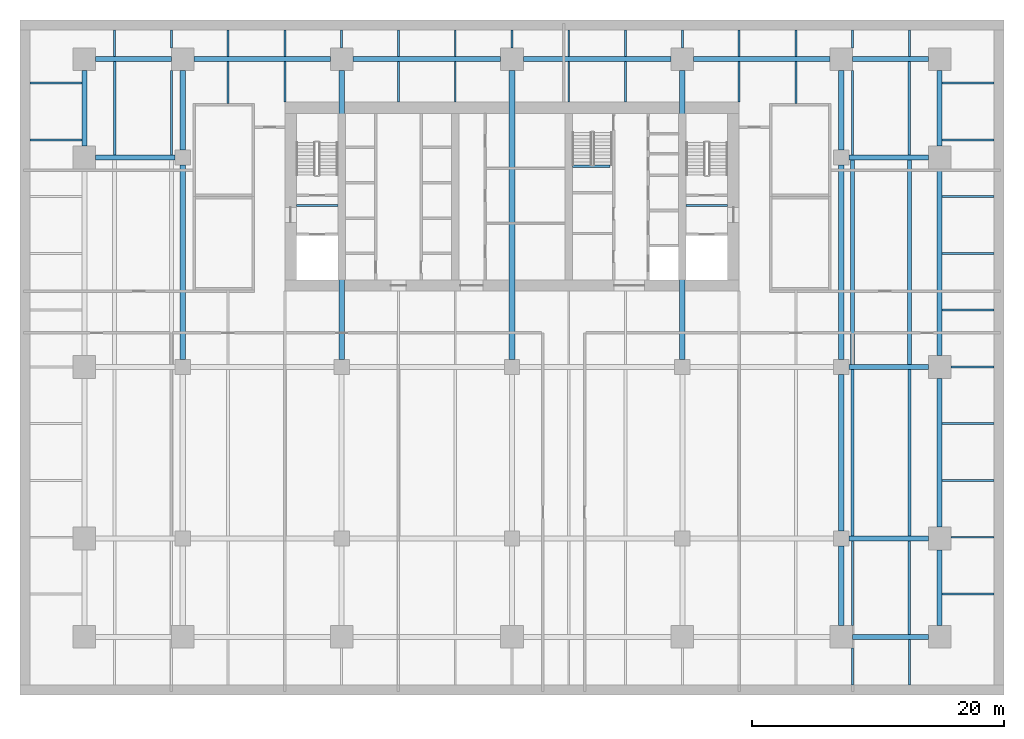
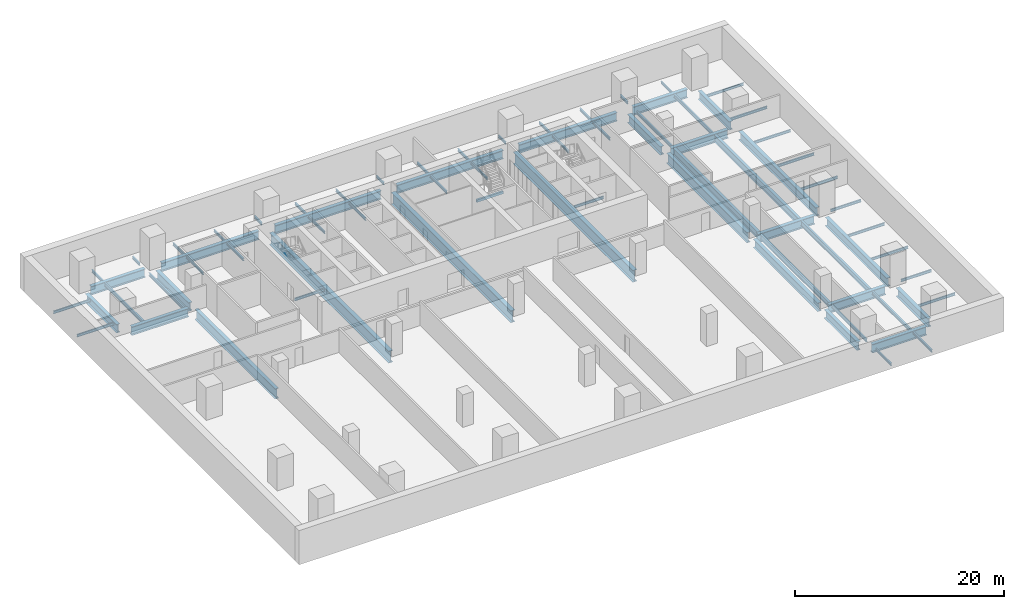
# One storey, part 2 of 10: 75 beams.
"""IFC4 building model written with IfcOpenShell, lengths in metres."""

import ifcopenshell
import ifcopenshell.guid

model = None  # the IFC model being written
_history = None  # IfcOwnerHistory: only IFC2X3 demands one
_inside = {}  # id of a spatial element -> (the spatial element, [elements in it])
_under = {}  # id of a project, library or spatial element -> (it, [spatial elements below it])
_declared = {}  # id of a project -> (the project, [libraries it declares])
_typed = {}  # id of a type object -> (the type object, [elements of that type])
_made_of = {}  # id of a material, layer set ... -> (it, [elements and type objects made of it])


def new_model(schema):
    """Start an empty IFC model of exactly this schema.

    Asked for "IFC4X3", IfcOpenShell would pick the latest addendum, in which some entities
    have other attributes; the version numbers below select the first issue.
    IFC2X3 requires an IfcOwnerHistory on every rooted entity: one is made here for all.
    """
    global model, _history
    if schema == "IFC4X3":
        model = ifcopenshell.file(schema_version=(4, 3, 0, 0))
    else:
        model = ifcopenshell.file(schema=schema)
    _inside.clear()
    _under.clear()
    _declared.clear()
    _typed.clear()
    _made_of.clear()
    _history = None
    if model.schema == "IFC2X3":
        org = make("IfcOrganization", Name="unknown")
        user = make(
            "IfcPersonAndOrganization",
            ThePerson=make("IfcPerson", FamilyName="unknown"),
            TheOrganization=org,
        )
        app = make(
            "IfcApplication",
            ApplicationDeveloper=org,
            Version="unknown",
            ApplicationFullName="unknown",
            ApplicationIdentifier="unknown",
        )
        _history = make(
            "IfcOwnerHistory",
            OwningUser=user,
            OwningApplication=app,
            ChangeAction="ADDED",
            CreationDate=0,
        )
    return model


def make(cls, **values):
    """One entity of the class cls with the attributes given. An attribute that is None is left unset."""
    return model.create_entity(
        cls, **{name: value for name, value in values.items() if value is not None}
    )


def rooted(cls, **values):
    """An entity with a GlobalId (a new one), such as an element, a storey or a relation."""
    return make(cls, GlobalId=ifcopenshell.guid.new(), OwnerHistory=_history, **values)


def si_unit(unit_type, name, prefix=None):
    """IfcSIUnit, for example si_unit("LENGTHUNIT", "METRE", prefix="MILLI")."""
    return make("IfcSIUnit", UnitType=unit_type, Prefix=prefix, Name=name)


def assignment(units):
    """IfcUnitAssignment: the units of a project."""
    return None if units is None else make("IfcUnitAssignment", Units=units)


def point(xyz):
    """IfcCartesianPoint."""
    return None if xyz is None else make("IfcCartesianPoint", Coordinates=xyz)


def direction(xyz):
    """IfcDirection."""
    return None if xyz is None else make("IfcDirection", DirectionRatios=xyz)


def frame(location, z_axis=None, x_axis=None):
    """IfcAxis2Placement3D, a coordinate frame: its origin and axes. An axis left out is left unset."""
    return make(
        "IfcAxis2Placement3D",
        Location=point(location),
        Axis=direction(z_axis),
        RefDirection=direction(x_axis),
    )


def frame_2d(location, x_axis=None):
    """IfcAxis2Placement2D, a coordinate frame in the plane: its origin and x axis."""
    return make(
        "IfcAxis2Placement2D", Location=point(location), RefDirection=direction(x_axis)
    )


def origin():
    """The frame at (0, 0, 0) with its axes left unset."""
    return frame((0.0, 0.0, 0.0))


def origin_2d():
    """The frame at (0, 0) in the plane with its x axis left unset."""
    return frame_2d((0.0, 0.0))


def place(relative_to, where):
    """IfcLocalPlacement: puts the frame where relative to a parent placement (None: the world)."""
    return make(
        "IfcLocalPlacement", PlacementRelTo=relative_to, RelativePlacement=where
    )


def context(
    kind, dimensions, precision=None, world=None, true_north=None, identifier=None
):
    """IfcGeometricRepresentationContext, for example the 3D "Model" context."""
    return make(
        "IfcGeometricRepresentationContext",
        ContextIdentifier=identifier,
        ContextType=kind,
        CoordinateSpaceDimension=dimensions,
        Precision=precision,
        WorldCoordinateSystem=world,
        TrueNorth=true_north,
    )


def subcontext(parent, identifier, kind, view, scale=None):
    """IfcGeometricRepresentationSubContext, for example "Body" below "Model"."""
    return make(
        "IfcGeometricRepresentationSubContext",
        ContextIdentifier=identifier,
        ContextType=kind,
        ParentContext=parent,
        TargetScale=scale,
        TargetView=view,
    )


def project(units=None, contexts=None):
    """IfcProject with its units and contexts."""
    return rooted(
        "IfcProject",
        Name="project",
        RepresentationContexts=contexts,
        UnitsInContext=assignment(units),
    )


def spatial(cls, under=None, at=None, **own):
    """A site, building, storey or space (cls), placed at a placement, below another one or the project."""
    s = rooted(cls, ObjectPlacement=at, **own)
    if under is not None:
        _under.setdefault(under.id(), (under, []))[1].append(s)
    return s


def profile(cls, at=None, kind="AREA", **sizes):
    """A parametric profile (cls). Its sizes go by their IFC names, for example OverallWidth=200.0."""
    return make(cls, ProfileType=kind, Position=at, **sizes)


def rectangle(**sizes):
    """IfcRectangleProfileDef."""
    return profile("IfcRectangleProfileDef", **sizes)


def i_section(**sizes):
    """IfcIShapeProfileDef."""
    return profile("IfcIShapeProfileDef", **sizes)


def extrude(swept, where, along, depth):
    """IfcExtrudedAreaSolid: the profile swept, set in the frame where, extruded along a direction by depth."""
    return make(
        "IfcExtrudedAreaSolid",
        SweptArea=swept,
        Position=where,
        ExtrudedDirection=direction(along),
        Depth=depth,
    )


def shape(context_of_items, identifier, shape_type, items):
    """IfcShapeRepresentation: the items that make up one representation, for example the "Body"."""
    return make(
        "IfcShapeRepresentation",
        ContextOfItems=context_of_items,
        RepresentationIdentifier=identifier,
        RepresentationType=shape_type,
        Items=items,
    )


def material(Name=None, Category=None):
    """IfcMaterial."""
    return make("IfcMaterial", Name=Name, Category=Category)


def material_profile(
    of_material, cross_section, Name=None, Category=None, Priority=None
):
    """IfcMaterialProfile: a cross section and its material."""
    return make(
        "IfcMaterialProfile",
        Name=Name,
        Material=of_material,
        Profile=cross_section,
        Priority=Priority,
        Category=Category,
    )


def profile_set(profiles, Name=None, composite=None):
    """IfcMaterialProfileSet."""
    return make(
        "IfcMaterialProfileSet",
        Name=Name,
        MaterialProfiles=profiles,
        CompositeProfile=composite,
    )


def made_of(thing, what):
    """Note that an element or type object is made of a material, layer set ...; save() writes the relation."""
    if what is not None:
        _made_of.setdefault(what.id(), (what, []))[1].append(thing)
    return thing


def type_object(cls, material=None, **own):
    """A type object (cls), such as IfcWallType, which elements share."""
    return made_of(rooted(cls, **own), material)


def element(
    cls,
    number,
    at=None,
    inside=None,
    cuts=None,
    type_object=None,
    material=None,
    context=None,
    identifier="Body",
    shape_type=None,
    held_by="IfcProductDefinitionShape",
    body=None,
    shapes=None,
    **own,
):
    """One element of the class cls, such as IfcWall. Its Tag is "e" and its number.

    at: its placement. inside: the storey or other place that contains it. cuts: it is an
    opening in that element (IfcRelVoidsElement). A single representation is given by context,
    identifier, shape_type and body (its items); several are given by shapes. held_by: the class
    of the entity that holds the representations. save() writes the other relations.
    """
    e = rooted(cls, Tag="e%d" % number, ObjectPlacement=at, **own)
    if body is not None:
        shapes = [shape(context, identifier, shape_type, body)]
    if shapes is not None:
        e.Representation = make(held_by, Representations=shapes)
    if inside is not None:
        _inside.setdefault(inside.id(), (inside, []))[1].append(e)
    if cuts is not None:
        rooted(
            "IfcRelVoidsElement", RelatingBuildingElement=cuts, RelatedOpeningElement=e
        )
    if type_object is not None:
        _typed.setdefault(type_object.id(), (type_object, []))[1].append(e)
    return made_of(e, material)


def aggregate(whole, parts):
    """IfcRelAggregates: a whole, such as a stair, and the parts it consists of."""
    return rooted("IfcRelAggregates", RelatingObject=whole, RelatedObjects=parts)


def save(model, path):
    """Write the relations noted so far, then the file.

    IfcRelAggregates (storeys below a building ...), IfcRelContainedInSpatialStructure (elements
    in a storey), IfcRelDefinesByType, IfcRelAssociatesMaterial and IfcRelDeclares: one each for
    every whole, place, type object, material and project.
    """
    for whole, parts in _under.values():
        aggregate(whole, parts)
    for where, things in _inside.values():
        rooted(
            "IfcRelContainedInSpatialStructure",
            RelatedElements=things,
            RelatingStructure=where,
        )
    for kind, things in _typed.values():
        rooted("IfcRelDefinesByType", RelatedObjects=things, RelatingType=kind)
    for what, things in _made_of.values():
        rooted("IfcRelAssociatesMaterial", RelatedObjects=things, RelatingMaterial=what)
    for by, libraries in _declared.values():
        rooted("IfcRelDeclares", RelatingContext=by, RelatedDefinitions=libraries)
    model.write(path)


model = new_model("IFC4")

# Units and contexts
model_context = context("Model", 3, precision=1e-05, world=origin(), true_north=direction((0.0, 1.0)))
body_context = subcontext(model_context, "Body", "Model", "MODEL_VIEW")
ifc_project = project(units=[si_unit("LENGTHUNIT", "METRE"), si_unit("AREAUNIT", "SQUARE_METRE"), si_unit("VOLUMEUNIT", "CUBIC_METRE"), si_unit("PLANEANGLEUNIT", "RADIAN"), si_unit("MASSUNIT", "GRAM", prefix="KILO")], contexts=[model_context])

# Site, building, storey
site_placement = place(None, origin())
site = spatial("IfcSite", under=ifc_project, at=site_placement, CompositionType="ELEMENT")
building_placement = place(site_placement, origin())
building = spatial("IfcBuilding", under=site, at=building_placement, Name="Rattan Terrace Tower", CompositionType="ELEMENT")
storey_placement = place(building_placement, frame((0.0, 0.0, -9.5)))
storey = spatial("IfcBuildingStorey", under=building, at=storey_placement, Name="B2", CompositionType="ELEMENT", Elevation=-9.5)

# Beams
ifc_material_1 = material(Name="Concrete C40/50", Category="concrete")
ifc_material_profile_1 = material_profile(ifc_material_1, rectangle(XDim=0.199951171875, YDim=0.300048828125, at=origin_2d()), Name="RC 200x300")
ifc_profile_set_1 = profile_set([ifc_material_profile_1], Name="Concrete C40/50")
beam_type_1 = type_object("IfcBeamType", Name="Core landing beam RC 200x300", PredefinedType="BEAM", material=ifc_profile_set_1)
beam_1_placement = place(storey_placement, frame((4.800048828125, 2.39990234375, 1.64990234375), z_axis=(1.0, 0.0, 0.0), x_axis=(0.0, 1.0, 0.0)))
element("IfcBeam", 1, at=beam_1_placement, inside=storey, type_object=beam_type_1, Name="st-S3-B2 landing 1 edge beam", PredefinedType="BEAM", context=body_context, shape_type="SweptSolid", body=[
    extrude(rectangle(XDim=0.199951171875, YDim=0.300048828125, at=origin_2d()), origin(), (0.0, 0.0, 1.0), 2.949951171875),
])
ifc_material_2 = material(Name="Steel S355", Category="steel")
ifc_material_profile_2 = material_profile(ifc_material_2, i_section(OverallWidth=0.300048828125, OverallDepth=0.800048828125, WebThickness=0.017578125, FlangeThickness=0.032958984375, FilletRadius=0.030029296875, at=origin_2d()), Name="HE 800 B")
ifc_profile_set_2 = profile_set([ifc_material_profile_2], Name="Steel S355")
beam_type_2 = type_object("IfcBeamType", Name="Frame floor beam HE 800 B", PredefinedType="JOIST", material=ifc_profile_set_2)
for number, where, z_axis, x_axis, name in (
    (2, (27.0, -13.300048828125, -0.60009765625), (0.0, 1.0, 0.0), (-1.0, 0.0, 0.0), "bm-B2-062"),
    (3, (31.5, -13.300048828125, -0.60009765625), (0.0, 1.0, 0.0), (-1.0, 0.0, 0.0), "bm-B2-063"),
):
    element("IfcBeam", number, at=place(storey_placement, frame(where, z_axis=z_axis, x_axis=x_axis)), inside=storey, type_object=beam_type_2, Name=name, PredefinedType="JOIST", context=body_context, shape_type="SweptSolid", body=[
        extrude(i_section(OverallWidth=0.300048828125, OverallDepth=0.800048828125, WebThickness=0.017578125, FlangeThickness=0.032958984375, FilletRadius=0.030029296875, at=origin_2d()), origin(), (0.0, 0.0, 1.0), 16.199951171875),
    ])
ifc_material_3 = material(Name="Steel S355", Category="steel")
ifc_material_profile_3 = material_profile(ifc_material_3, i_section(OverallWidth=0.14990234375, OverallDepth=0.300048828125, WebThickness=0.007080078125, FlangeThickness=0.0107421875, FilletRadius=0.014892578125, at=origin_2d()), Name="IPE 300")
ifc_profile_set_3 = profile_set([ifc_material_profile_3], Name="Steel S355")
beam_type_3 = type_object("IfcBeamType", Name="Frame floor beam IPE 300", PredefinedType="JOIST", material=ifc_profile_set_3)
for number, where, z_axis, x_axis, name in (
    (4, (-17.10009765625, -0.695068359375, -0.35009765625), (1.0, 0.0, 0.0), (0.0, 1.0, 0.0), "bm-B2-001"),
    (5, (13.800048828125, -0.695068359375, -0.35009765625), (1.0, 0.0, 0.0), (0.0, 1.0, 0.0), "bm-B2-002"),
):
    element("IfcBeam", number, at=place(storey_placement, frame(where, z_axis=z_axis, x_axis=x_axis)), inside=storey, type_object=beam_type_3, Name=name, PredefinedType="JOIST", context=body_context, shape_type="SweptSolid", body=[
        extrude(i_section(OverallWidth=0.14990234375, OverallDepth=0.300048828125, WebThickness=0.007080078125, FlangeThickness=0.0107421875, FilletRadius=0.014892578125, at=origin_2d()), origin(), (0.0, 0.0, 1.0), 3.300048828125),
    ])
beam_2_placement = place(storey_placement, frame((27.0, -38.699951171875, -0.35009765625), z_axis=(0.0, 1.0, 0.0), x_axis=(-1.0, 0.0, 0.0)))
element("IfcBeam", 6, at=beam_2_placement, inside=storey, type_object=beam_type_3, Name="bm-B2-016", PredefinedType="JOIST", context=body_context, shape_type="SweptSolid", body=[
    extrude(i_section(OverallWidth=0.14990234375, OverallDepth=0.300048828125, WebThickness=0.007080078125, FlangeThickness=0.0107421875, FilletRadius=0.014892578125, at=origin_2d()), origin(), (0.0, 0.0, 1.0), 2.89990234375),
])
beam_3_placement = place(storey_placement, frame((31.5, -38.699951171875, -0.35009765625), z_axis=(0.0, 1.0, 0.0), x_axis=(-1.0, 0.0, 0.0)))
element("IfcBeam", 7, at=beam_3_placement, inside=storey, type_object=beam_type_3, Name="bm-B2-017", PredefinedType="JOIST", context=body_context, shape_type="SweptSolid", body=[
    extrude(i_section(OverallWidth=0.14990234375, OverallDepth=0.300048828125, WebThickness=0.007080078125, FlangeThickness=0.0107421875, FilletRadius=0.014892578125, at=origin_2d()), origin(), (0.0, 0.0, 1.0), 3.599853515625),
])
beam_4_placement = place(storey_placement, frame((34.10009765625, -31.5, -0.35009765625), z_axis=(1.0, 0.0, 0.0), x_axis=(0.0, 1.0, 0.0)))
element("IfcBeam", 8, at=beam_4_placement, inside=storey, type_object=beam_type_3, Name="bm-B2-031", PredefinedType="JOIST", context=body_context, shape_type="SweptSolid", body=[
    extrude(i_section(OverallWidth=0.14990234375, OverallDepth=0.300048828125, WebThickness=0.007080078125, FlangeThickness=0.0107421875, FilletRadius=0.014892578125, at=origin_2d()), origin(), (0.0, 0.0, 1.0), 4.099853515625),
])
beam_5_placement = place(storey_placement, frame((34.800048828125, -27.0, -0.35009765625), z_axis=(1.0, 0.0, 0.0), x_axis=(0.0, 1.0, 0.0)))
element("IfcBeam", 9, at=beam_5_placement, inside=storey, type_object=beam_type_3, Name="bm-B2-033", PredefinedType="JOIST", context=body_context, shape_type="SweptSolid", body=[
    extrude(i_section(OverallWidth=0.14990234375, OverallDepth=0.300048828125, WebThickness=0.007080078125, FlangeThickness=0.0107421875, FilletRadius=0.014892578125, at=origin_2d()), origin(), (0.0, 0.0, 1.0), 3.39990234375),
])
for number, where, z_axis, x_axis, name in (
    (10, (34.10009765625, -22.5, -0.35009765625), (1.0, 0.0, 0.0), (0.0, 1.0, 0.0), "bm-B2-047"),
    (11, (34.10009765625, -18.0, -0.35009765625), (1.0, 0.0, 0.0), (0.0, 1.0, 0.0), "bm-B2-049"),
):
    element("IfcBeam", number, at=place(storey_placement, frame(where, z_axis=z_axis, x_axis=x_axis)), inside=storey, type_object=beam_type_3, Name=name, PredefinedType="JOIST", context=body_context, shape_type="SweptSolid", body=[
        extrude(i_section(OverallWidth=0.14990234375, OverallDepth=0.300048828125, WebThickness=0.007080078125, FlangeThickness=0.0107421875, FilletRadius=0.014892578125, at=origin_2d()), origin(), (0.0, 0.0, 1.0), 4.099853515625),
    ])
beam_6_placement = place(storey_placement, frame((34.800048828125, -13.5, -0.35009765625), z_axis=(1.0, 0.0, 0.0), x_axis=(0.0, 1.0, 0.0)))
element("IfcBeam", 12, at=beam_6_placement, inside=storey, type_object=beam_type_3, Name="bm-B2-051", PredefinedType="JOIST", context=body_context, shape_type="SweptSolid", body=[
    extrude(i_section(OverallWidth=0.14990234375, OverallDepth=0.300048828125, WebThickness=0.007080078125, FlangeThickness=0.0107421875, FilletRadius=0.014892578125, at=origin_2d()), origin(), (0.0, 0.0, 1.0), 3.39990234375),
])
for number, where, z_axis, x_axis, name in (
    (13, (34.10009765625, -9.0, -0.35009765625), (1.0, 0.0, 0.0), (0.0, 1.0, 0.0), "bm-B2-065"),
    (14, (34.10009765625, -4.5, -0.35009765625), (1.0, 0.0, 0.0), (0.0, 1.0, 0.0), "bm-B2-067"),
    (15, (34.10009765625, 0.0, -0.35009765625), (1.0, 0.0, 0.0), (0.0, 1.0, 0.0), "bm-B2-069"),
    (16, (-38.199951171875, 4.5, -0.35009765625), (1.0, 0.0, 0.0), (0.0, 1.0, 0.0), "bm-B2-074"),
    (17, (34.10009765625, 4.5, -0.35009765625), (1.0, 0.0, 0.0), (0.0, 1.0, 0.0), "bm-B2-075"),
):
    element("IfcBeam", number, at=place(storey_placement, frame(where, z_axis=z_axis, x_axis=x_axis)), inside=storey, type_object=beam_type_3, Name=name, PredefinedType="JOIST", context=body_context, shape_type="SweptSolid", body=[
        extrude(i_section(OverallWidth=0.14990234375, OverallDepth=0.300048828125, WebThickness=0.007080078125, FlangeThickness=0.0107421875, FilletRadius=0.014892578125, at=origin_2d()), origin(), (0.0, 0.0, 1.0), 4.099853515625),
    ])
for number, where, z_axis, x_axis, name in (
    (18, (-22.5, 7.39990234375, -0.35009765625), (0.0, 1.0, 0.0), (-1.0, 0.0, 0.0), "bm-B2-076"),
    (19, (22.5, 7.39990234375, -0.35009765625), (0.0, 1.0, 0.0), (-1.0, 0.0, 0.0), "bm-B2-077"),
):
    element("IfcBeam", number, at=place(storey_placement, frame(where, z_axis=z_axis, x_axis=x_axis)), inside=storey, type_object=beam_type_3, Name=name, PredefinedType="JOIST", context=body_context, shape_type="SweptSolid", body=[
        extrude(i_section(OverallWidth=0.14990234375, OverallDepth=0.300048828125, WebThickness=0.007080078125, FlangeThickness=0.0107421875, FilletRadius=0.014892578125, at=origin_2d()), origin(), (0.0, 0.0, 1.0), 3.300048828125),
    ])
for number, where, z_axis, x_axis, name in (
    (20, (-18.0, 7.5, -0.35009765625), (0.0, 1.0, 0.0), (-1.0, 0.0, 0.0), "bm-B2-078"),
    (21, (-9.0, 7.5, -0.35009765625), (0.0, 1.0, 0.0), (-1.0, 0.0, 0.0), "bm-B2-079"),
    (22, (-4.5, 7.5, -0.35009765625), (0.0, 1.0, 0.0), (-1.0, 0.0, 0.0), "bm-B2-080"),
    (23, (4.5, 7.5, -0.35009765625), (0.0, 1.0, 0.0), (-1.0, 0.0, 0.0), "bm-B2-081"),
    (24, (9.0, 7.5, -0.35009765625), (0.0, 1.0, 0.0), (-1.0, 0.0, 0.0), "bm-B2-082"),
    (25, (18.0, 7.5, -0.35009765625), (0.0, 1.0, 0.0), (-1.0, 0.0, 0.0), "bm-B2-083"),
):
    element("IfcBeam", number, at=place(storey_placement, frame(where, z_axis=z_axis, x_axis=x_axis)), inside=storey, type_object=beam_type_3, Name=name, PredefinedType="JOIST", context=body_context, shape_type="SweptSolid", body=[
        extrude(i_section(OverallWidth=0.14990234375, OverallDepth=0.300048828125, WebThickness=0.007080078125, FlangeThickness=0.0107421875, FilletRadius=0.014892578125, at=origin_2d()), origin(), (0.0, 0.0, 1.0), 3.199951171875),
    ])
for number, where, z_axis, x_axis, name in (
    (26, (-38.199951171875, 9.0, -0.35009765625), (1.0, 0.0, 0.0), (0.0, 1.0, 0.0), "bm-B2-084"),
    (27, (34.10009765625, 9.0, -0.35009765625), (1.0, 0.0, 0.0), (0.0, 1.0, 0.0), "bm-B2-085"),
):
    element("IfcBeam", number, at=place(storey_placement, frame(where, z_axis=z_axis, x_axis=x_axis)), inside=storey, type_object=beam_type_3, Name=name, PredefinedType="JOIST", context=body_context, shape_type="SweptSolid", body=[
        extrude(i_section(OverallWidth=0.14990234375, OverallDepth=0.300048828125, WebThickness=0.007080078125, FlangeThickness=0.0107421875, FilletRadius=0.014892578125, at=origin_2d()), origin(), (0.0, 0.0, 1.0), 4.099853515625),
    ])
for number, where, z_axis, x_axis, name in (
    (28, (-31.5, 11.10009765625, -0.35009765625), (0.0, 1.0, 0.0), (-1.0, 0.0, 0.0), "bm-B2-086"),
    (29, (-22.5, 11.10009765625, -0.35009765625), (0.0, 1.0, 0.0), (-1.0, 0.0, 0.0), "bm-B2-087"),
    (30, (-18.0, 11.10009765625, -0.35009765625), (0.0, 1.0, 0.0), (-1.0, 0.0, 0.0), "bm-B2-088"),
    (31, (-9.0, 11.10009765625, -0.35009765625), (0.0, 1.0, 0.0), (-1.0, 0.0, 0.0), "bm-B2-089"),
    (32, (-4.5, 11.10009765625, -0.35009765625), (0.0, 1.0, 0.0), (-1.0, 0.0, 0.0), "bm-B2-090"),
    (33, (4.5, 11.10009765625, -0.35009765625), (0.0, 1.0, 0.0), (-1.0, 0.0, 0.0), "bm-B2-091"),
    (34, (9.0, 11.10009765625, -0.35009765625), (0.0, 1.0, 0.0), (-1.0, 0.0, 0.0), "bm-B2-092"),
    (35, (18.0, 11.10009765625, -0.35009765625), (0.0, 1.0, 0.0), (-1.0, 0.0, 0.0), "bm-B2-093"),
    (36, (22.5, 11.10009765625, -0.35009765625), (0.0, 1.0, 0.0), (-1.0, 0.0, 0.0), "bm-B2-094"),
    (37, (31.5, 11.10009765625, -0.35009765625), (0.0, 1.0, 0.0), (-1.0, 0.0, 0.0), "bm-B2-095"),
):
    element("IfcBeam", number, at=place(storey_placement, frame(where, z_axis=z_axis, x_axis=x_axis)), inside=storey, type_object=beam_type_3, Name=name, PredefinedType="JOIST", context=body_context, shape_type="SweptSolid", body=[
        extrude(i_section(OverallWidth=0.14990234375, OverallDepth=0.300048828125, WebThickness=0.007080078125, FlangeThickness=0.0107421875, FilletRadius=0.014892578125, at=origin_2d()), origin(), (0.0, 0.0, 1.0), 2.099853515625),
    ])
for number, where, z_axis, x_axis, name in (
    (38, (-27.0, 11.800048828125, -0.35009765625), (0.0, 1.0, 0.0), (-1.0, 0.0, 0.0), "bm-B2-096"),
    (39, (-13.5, 11.800048828125, -0.35009765625), (0.0, 1.0, 0.0), (-1.0, 0.0, 0.0), "bm-B2-097"),
    (40, (0.0, 11.800048828125, -0.35009765625), (0.0, 1.0, 0.0), (-1.0, 0.0, 0.0), "bm-B2-098"),
    (41, (13.5, 11.800048828125, -0.35009765625), (0.0, 1.0, 0.0), (-1.0, 0.0, 0.0), "bm-B2-099"),
    (42, (27.0, 11.800048828125, -0.35009765625), (0.0, 1.0, 0.0), (-1.0, 0.0, 0.0), "bm-B2-100"),
):
    element("IfcBeam", number, at=place(storey_placement, frame(where, z_axis=z_axis, x_axis=x_axis)), inside=storey, type_object=beam_type_3, Name=name, PredefinedType="JOIST", context=body_context, shape_type="SweptSolid", body=[
        extrude(i_section(OverallWidth=0.14990234375, OverallDepth=0.300048828125, WebThickness=0.007080078125, FlangeThickness=0.0107421875, FilletRadius=0.014892578125, at=origin_2d()), origin(), (0.0, 0.0, 1.0), 1.39990234375),
    ])
ifc_material_4 = material(Name="Steel S355", Category="steel")
ifc_material_profile_4 = material_profile(ifc_material_4, i_section(OverallWidth=0.169921875, OverallDepth=0.360107421875, WebThickness=0.008056640625, FlangeThickness=0.0126953125, FilletRadius=0.01806640625, at=origin_2d()), Name="IPE 360")
ifc_profile_set_4 = profile_set([ifc_material_profile_4], Name="Steel S355")
beam_type_4 = type_object("IfcBeamType", Name="Frame floor beam IPE 360", PredefinedType="JOIST", material=ifc_profile_set_4)
for number, where, z_axis, x_axis, name in (
    (43, (27.0, -34.0, -0.3798828125), (0.0, 1.0, 0.0), (-1.0, 0.0, 0.0), "bm-B2-029"),
    (44, (-27.0, 3.300048828125, -0.3798828125), (0.0, 1.0, 0.0), (-1.0, 0.0, 0.0), "bm-B2-071"),
    (45, (27.0, 3.300048828125, -0.3798828125), (0.0, 1.0, 0.0), (-1.0, 0.0, 0.0), "bm-B2-072"),
):
    element("IfcBeam", number, at=place(storey_placement, frame(where, z_axis=z_axis, x_axis=x_axis)), inside=storey, type_object=beam_type_4, Name=name, PredefinedType="JOIST", context=body_context, shape_type="SweptSolid", body=[
        extrude(i_section(OverallWidth=0.169921875, OverallDepth=0.360107421875, WebThickness=0.008056640625, FlangeThickness=0.0126953125, FilletRadius=0.01806640625, at=origin_2d()), origin(), (0.0, 0.0, 1.0), 6.699951171875),
    ])
ifc_material_5 = material(Name="Steel S355", Category="steel")
ifc_material_profile_5 = material_profile(ifc_material_5, i_section(OverallWidth=0.179931640625, OverallDepth=0.39990234375, WebThickness=0.008544921875, FlangeThickness=0.013427734375, FilletRadius=0.02099609375, at=origin_2d()), Name="IPE 400")
ifc_profile_set_5 = profile_set([ifc_material_profile_5], Name="Steel S355")
beam_type_5 = type_object("IfcBeamType", Name="Frame floor beam IPE 400", PredefinedType="JOIST", material=ifc_profile_set_5)
for number, where, z_axis, x_axis, name in (
    (46, (31.5, -34.699951171875, -0.39990234375), (0.0, 1.0, 0.0), (-1.0, 0.0, 0.0), "bm-B2-027"),
    (47, (-31.5, 3.300048828125, -0.39990234375), (0.0, 1.0, 0.0), (-1.0, 0.0, 0.0), "bm-B2-070"),
    (48, (31.5, 3.300048828125, -0.39990234375), (0.0, 1.0, 0.0), (-1.0, 0.0, 0.0), "bm-B2-073"),
):
    element("IfcBeam", number, at=place(storey_placement, frame(where, z_axis=z_axis, x_axis=x_axis)), inside=storey, type_object=beam_type_5, Name=name, PredefinedType="JOIST", context=body_context, shape_type="SweptSolid", body=[
        extrude(i_section(OverallWidth=0.179931640625, OverallDepth=0.39990234375, WebThickness=0.008544921875, FlangeThickness=0.013427734375, FilletRadius=0.02099609375, at=origin_2d()), origin(), (0.0, 0.0, 1.0), 7.39990234375),
    ])
ifc_material_6 = material(Name="Steel S355", Category="steel")
ifc_material_profile_6 = material_profile(ifc_material_6, i_section(OverallWidth=0.22412109375, OverallDepth=0.610107421875, WebThickness=0.014892578125, FlangeThickness=0.02392578125, FilletRadius=0.02392578125, at=origin_2d()), Name="IPE O 600")
ifc_profile_set_6 = profile_set([ifc_material_profile_6], Name="Steel S355")
beam_type_6 = type_object("IfcBeamType", Name="Frame floor beam IPE O 600", PredefinedType="JOIST", material=ifc_profile_set_6)
for number, where, z_axis, x_axis, name in (
    (49, (27.0, -26.89990234375, -0.5048828125), (0.0, 1.0, 0.0), (-1.0, 0.0, 0.0), "bm-B2-044"),
    (50, (31.5, -26.89990234375, -0.5048828125), (0.0, 1.0, 0.0), (-1.0, 0.0, 0.0), "bm-B2-045"),
):
    element("IfcBeam", number, at=place(storey_placement, frame(where, z_axis=z_axis, x_axis=x_axis)), inside=storey, type_object=beam_type_6, Name=name, PredefinedType="JOIST", context=body_context, shape_type="SweptSolid", body=[
        extrude(i_section(OverallWidth=0.22412109375, OverallDepth=0.610107421875, WebThickness=0.014892578125, FlangeThickness=0.02392578125, FilletRadius=0.02392578125, at=origin_2d()), origin(), (0.0, 0.0, 1.0), 13.199951171875),
    ])
ifc_material_7 = material(Name="Steel S460", Category="steel")
ifc_material_profile_7 = material_profile(ifc_material_7, i_section(OverallWidth=0.39990234375, OverallDepth=1.0, WebThickness=0.01806640625, FlangeThickness=0.044921875, at=origin_2d()), Name="PG 1000x400-18-45")
ifc_profile_set_7 = profile_set([ifc_material_profile_7], Name="Steel S460")
beam_type_7 = type_object("IfcBeamType", Name="Frame podium girder PG 1000x400-18-45", PredefinedType="USERDEFINED", material=ifc_profile_set_7)
beam_7_placement = place(storey_placement, frame((27.0, -34.89990234375, -0.699951171875), z_axis=(1.0, 0.0, 0.0), x_axis=(0.0, 1.0, 0.0)))
element("IfcBeam", 51, at=beam_7_placement, inside=storey, type_object=beam_type_7, Name="gdr-B2-006", ObjectType="PODIUM GIRDER", PredefinedType="USERDEFINED", context=body_context, shape_type="SweptSolid", body=[
    extrude(i_section(OverallWidth=0.39990234375, OverallDepth=1.0, WebThickness=0.01806640625, FlangeThickness=0.044921875, at=origin_2d()), origin(), (0.0, 0.0, 1.0), 6.0),
])
beam_8_placement = place(storey_placement, frame((26.10009765625, -34.0, -0.699951171875), z_axis=(0.0, 1.0, 0.0), x_axis=(-1.0, 0.0, 0.0)))
element("IfcBeam", 52, at=beam_8_placement, inside=storey, type_object=beam_type_7, Name="gdr-B2-012", ObjectType="PODIUM GIRDER", PredefinedType="USERDEFINED", context=body_context, shape_type="SweptSolid", body=[
    extrude(i_section(OverallWidth=0.39990234375, OverallDepth=1.0, WebThickness=0.01806640625, FlangeThickness=0.044921875, at=origin_2d()), origin(), (0.0, 0.0, 1.0), 6.300048828125),
])
beam_9_placement = place(storey_placement, frame((33.89990234375, -34.0, -0.699951171875), z_axis=(0.0, 1.0, 0.0), x_axis=(-1.0, 0.0, 0.0)))
element("IfcBeam", 53, at=beam_9_placement, inside=storey, type_object=beam_type_7, Name="gdr-B2-013", ObjectType="PODIUM GIRDER", PredefinedType="USERDEFINED", context=body_context, shape_type="SweptSolid", body=[
    extrude(i_section(OverallWidth=0.39990234375, OverallDepth=1.0, WebThickness=0.01806640625, FlangeThickness=0.044921875, at=origin_2d()), origin(), (0.0, 0.0, 1.0), 6.0),
])
beam_10_placement = place(storey_placement, frame((26.699951171875, -27.10009765625, -0.699951171875), z_axis=(1.0, 0.0, 0.0), x_axis=(0.0, 1.0, 0.0)))
element("IfcBeam", 54, at=beam_10_placement, inside=storey, type_object=beam_type_7, Name="gdr-B2-019", ObjectType="PODIUM GIRDER", PredefinedType="USERDEFINED", context=body_context, shape_type="SweptSolid", body=[
    extrude(i_section(OverallWidth=0.39990234375, OverallDepth=1.0, WebThickness=0.01806640625, FlangeThickness=0.044921875, at=origin_2d()), origin(), (0.0, 0.0, 1.0), 6.300048828125),
])
beam_11_placement = place(storey_placement, frame((26.10009765625, -26.5, -0.699951171875), z_axis=(0.0, 1.0, 0.0), x_axis=(-1.0, 0.0, 0.0)))
element("IfcBeam", 55, at=beam_11_placement, inside=storey, type_object=beam_type_7, Name="gdr-B2-024", ObjectType="PODIUM GIRDER", PredefinedType="USERDEFINED", context=body_context, shape_type="SweptSolid", body=[
    extrude(i_section(OverallWidth=0.39990234375, OverallDepth=1.0, WebThickness=0.01806640625, FlangeThickness=0.044921875, at=origin_2d()), origin(), (0.0, 0.0, 1.0), 12.39990234375),
])
beam_12_placement = place(storey_placement, frame((33.89990234375, -26.199951171875, -0.699951171875), z_axis=(0.0, 1.0, 0.0), x_axis=(-1.0, 0.0, 0.0)))
element("IfcBeam", 56, at=beam_12_placement, inside=storey, type_object=beam_type_7, Name="gdr-B2-026", ObjectType="PODIUM GIRDER", PredefinedType="USERDEFINED", context=body_context, shape_type="SweptSolid", body=[
    extrude(i_section(OverallWidth=0.39990234375, OverallDepth=1.0, WebThickness=0.01806640625, FlangeThickness=0.044921875, at=origin_2d()), origin(), (0.0, 0.0, 1.0), 11.800048828125),
])
beam_13_placement = place(storey_placement, frame((26.699951171875, -13.5, -0.699951171875), z_axis=(1.0, 0.0, 0.0), x_axis=(0.0, 1.0, 0.0)))
element("IfcBeam", 57, at=beam_13_placement, inside=storey, type_object=beam_type_7, Name="gdr-B2-032", ObjectType="PODIUM GIRDER", PredefinedType="USERDEFINED", context=body_context, shape_type="SweptSolid", body=[
    extrude(i_section(OverallWidth=0.39990234375, OverallDepth=1.0, WebThickness=0.01806640625, FlangeThickness=0.044921875, at=origin_2d()), origin(), (0.0, 0.0, 1.0), 6.300048828125),
])
beam_14_placement = place(storey_placement, frame((33.89990234375, -12.60009765625, -0.699951171875), z_axis=(0.0, 1.0, 0.0), x_axis=(-1.0, 0.0, 0.0)))
element("IfcBeam", 58, at=beam_14_placement, inside=storey, type_object=beam_type_7, Name="gdr-B2-039", ObjectType="PODIUM GIRDER", PredefinedType="USERDEFINED", context=body_context, shape_type="SweptSolid", body=[
    extrude(i_section(OverallWidth=0.39990234375, OverallDepth=1.0, WebThickness=0.01806640625, FlangeThickness=0.044921875, at=origin_2d()), origin(), (0.0, 0.0, 1.0), 14.800048828125),
])
for number, where, z_axis, x_axis, name in (
    (59, (-33.0, 3.10009765625, -0.699951171875), (1.0, 0.0, 0.0), (0.0, 1.0, 0.0), "gdr-B2-040"),
    (60, (26.699951171875, 3.10009765625, -0.699951171875), (1.0, 0.0, 0.0), (0.0, 1.0, 0.0), "gdr-B2-041"),
    (61, (-26.10009765625, 3.699951171875, -0.699951171875), (0.0, 1.0, 0.0), (-1.0, 0.0, 0.0), "gdr-B2-042"),
    (62, (26.10009765625, 3.699951171875, -0.699951171875), (0.0, 1.0, 0.0), (-1.0, 0.0, 0.0), "gdr-B2-043"),
):
    element("IfcBeam", number, at=place(storey_placement, frame(where, z_axis=z_axis, x_axis=x_axis)), inside=storey, type_object=beam_type_7, Name=name, ObjectType="PODIUM GIRDER", PredefinedType="USERDEFINED", context=body_context, shape_type="SweptSolid", body=[
        extrude(i_section(OverallWidth=0.39990234375, OverallDepth=1.0, WebThickness=0.01806640625, FlangeThickness=0.044921875, at=origin_2d()), origin(), (0.0, 0.0, 1.0), 6.300048828125),
    ])
for number, where, z_axis, x_axis, name in (
    (63, (-33.89990234375, 4.0, -0.699951171875), (0.0, 1.0, 0.0), (-1.0, 0.0, 0.0), "gdr-B2-044"),
    (64, (33.89990234375, 4.0, -0.699951171875), (0.0, 1.0, 0.0), (-1.0, 0.0, 0.0), "gdr-B2-045"),
    (65, (-33.0, 10.89990234375, -0.699951171875), (1.0, 0.0, 0.0), (0.0, 1.0, 0.0), "gdr-B2-046"),
):
    element("IfcBeam", number, at=place(storey_placement, frame(where, z_axis=z_axis, x_axis=x_axis)), inside=storey, type_object=beam_type_7, Name=name, ObjectType="PODIUM GIRDER", PredefinedType="USERDEFINED", context=body_context, shape_type="SweptSolid", body=[
        extrude(i_section(OverallWidth=0.39990234375, OverallDepth=1.0, WebThickness=0.01806640625, FlangeThickness=0.044921875, at=origin_2d()), origin(), (0.0, 0.0, 1.0), 6.0),
    ])
beam_15_placement = place(storey_placement, frame((-25.199951171875, 10.89990234375, -0.699951171875), z_axis=(1.0, 0.0, 0.0), x_axis=(0.0, 1.0, 0.0)))
element("IfcBeam", 66, at=beam_15_placement, inside=storey, type_object=beam_type_7, Name="gdr-B2-047", ObjectType="PODIUM GIRDER", PredefinedType="USERDEFINED", context=body_context, shape_type="SweptSolid", body=[
    extrude(i_section(OverallWidth=0.39990234375, OverallDepth=1.0, WebThickness=0.01806640625, FlangeThickness=0.044921875, at=origin_2d()), origin(), (0.0, 0.0, 1.0), 10.800048828125),
])
for number, where, z_axis, x_axis, name in (
    (67, (-12.60009765625, 10.89990234375, -0.699951171875), (1.0, 0.0, 0.0), (0.0, 1.0, 0.0), "gdr-B2-048"),
    (68, (0.89990234375, 10.89990234375, -0.699951171875), (1.0, 0.0, 0.0), (0.0, 1.0, 0.0), "gdr-B2-049"),
):
    element("IfcBeam", number, at=place(storey_placement, frame(where, z_axis=z_axis, x_axis=x_axis)), inside=storey, type_object=beam_type_7, Name=name, ObjectType="PODIUM GIRDER", PredefinedType="USERDEFINED", context=body_context, shape_type="SweptSolid", body=[
        extrude(i_section(OverallWidth=0.39990234375, OverallDepth=1.0, WebThickness=0.01806640625, FlangeThickness=0.044921875, at=origin_2d()), origin(), (0.0, 0.0, 1.0), 11.7001953125),
    ])
beam_16_placement = place(storey_placement, frame((14.39990234375, 10.89990234375, -0.699951171875), z_axis=(1.0, 0.0, 0.0), x_axis=(0.0, 1.0, 0.0)))
element("IfcBeam", 69, at=beam_16_placement, inside=storey, type_object=beam_type_7, Name="gdr-B2-050", ObjectType="PODIUM GIRDER", PredefinedType="USERDEFINED", context=body_context, shape_type="SweptSolid", body=[
    extrude(i_section(OverallWidth=0.39990234375, OverallDepth=1.0, WebThickness=0.01806640625, FlangeThickness=0.044921875, at=origin_2d()), origin(), (0.0, 0.0, 1.0), 10.800048828125),
])
beam_17_placement = place(storey_placement, frame((27.0, 10.89990234375, -0.699951171875), z_axis=(1.0, 0.0, 0.0), x_axis=(0.0, 1.0, 0.0)))
element("IfcBeam", 70, at=beam_17_placement, inside=storey, type_object=beam_type_7, Name="gdr-B2-051", ObjectType="PODIUM GIRDER", PredefinedType="USERDEFINED", context=body_context, shape_type="SweptSolid", body=[
    extrude(i_section(OverallWidth=0.39990234375, OverallDepth=1.0, WebThickness=0.01806640625, FlangeThickness=0.044921875, at=origin_2d()), origin(), (0.0, 0.0, 1.0), 6.0),
])
ifc_material_8 = material(Name="Steel S460", Category="steel")
ifc_material_profile_8 = material_profile(ifc_material_8, i_section(OverallWidth=0.39990234375, OverallDepth=1.199951171875, WebThickness=0.02001953125, FlangeThickness=0.050048828125, at=origin_2d()), Name="PG 1200x400-20-50")
ifc_profile_set_8 = profile_set([ifc_material_profile_8], Name="Steel S460")
beam_type_8 = type_object("IfcBeamType", Name="Frame podium girder PG 1200x400-20-50", PredefinedType="USERDEFINED", material=ifc_profile_set_8)
for number, where, z_axis, x_axis, name in (
    (71, (-26.10009765625, -12.89990234375, -0.800048828125), (0.0, 1.0, 0.0), (-1.0, 0.0, 0.0), "gdr-B2-033"),
    (72, (26.10009765625, -12.89990234375, -0.800048828125), (0.0, 1.0, 0.0), (-1.0, 0.0, 0.0), "gdr-B2-037"),
):
    element("IfcBeam", number, at=place(storey_placement, frame(where, z_axis=z_axis, x_axis=x_axis)), inside=storey, type_object=beam_type_8, Name=name, ObjectType="PODIUM GIRDER", PredefinedType="USERDEFINED", context=body_context, shape_type="SweptSolid", body=[
        extrude(i_section(OverallWidth=0.39990234375, OverallDepth=1.199951171875, WebThickness=0.02001953125, FlangeThickness=0.050048828125, at=origin_2d()), origin(), (0.0, 0.0, 1.0), 15.39990234375),
    ])
ifc_material_9 = material(Name="Steel S460", Category="steel")
ifc_material_profile_9 = material_profile(ifc_material_9, i_section(OverallWidth=0.449951171875, OverallDepth=1.39990234375, WebThickness=0.02197265625, FlangeThickness=0.054931640625, at=origin_2d()), Name="PG 1400x450-22-55")
ifc_profile_set_9 = profile_set([ifc_material_profile_9], Name="Steel S460")
beam_type_9 = type_object("IfcBeamType", Name="Frame podium girder PG 1400x450-22-55", PredefinedType="USERDEFINED", material=ifc_profile_set_9)
for number, where, z_axis, x_axis, name in (
    (73, (-13.5, -12.89990234375, -0.89990234375), (0.0, 1.0, 0.0), (-1.0, 0.0, 0.0), "gdr-B2-034"),
    (74, (0.0, -12.89990234375, -0.89990234375), (0.0, 1.0, 0.0), (-1.0, 0.0, 0.0), "gdr-B2-035"),
    (75, (13.5, -12.89990234375, -0.89990234375), (0.0, 1.0, 0.0), (-1.0, 0.0, 0.0), "gdr-B2-036"),
):
    element("IfcBeam", number, at=place(storey_placement, frame(where, z_axis=z_axis, x_axis=x_axis)), inside=storey, type_object=beam_type_9, Name=name, ObjectType="PODIUM GIRDER", PredefinedType="USERDEFINED", context=body_context, shape_type="SweptSolid", body=[
        extrude(i_section(OverallWidth=0.449951171875, OverallDepth=1.39990234375, WebThickness=0.02197265625, FlangeThickness=0.054931640625, at=origin_2d()), origin(), (0.0, 0.0, 1.0), 22.89990234375),
    ])

save(model, "model.ifc")
